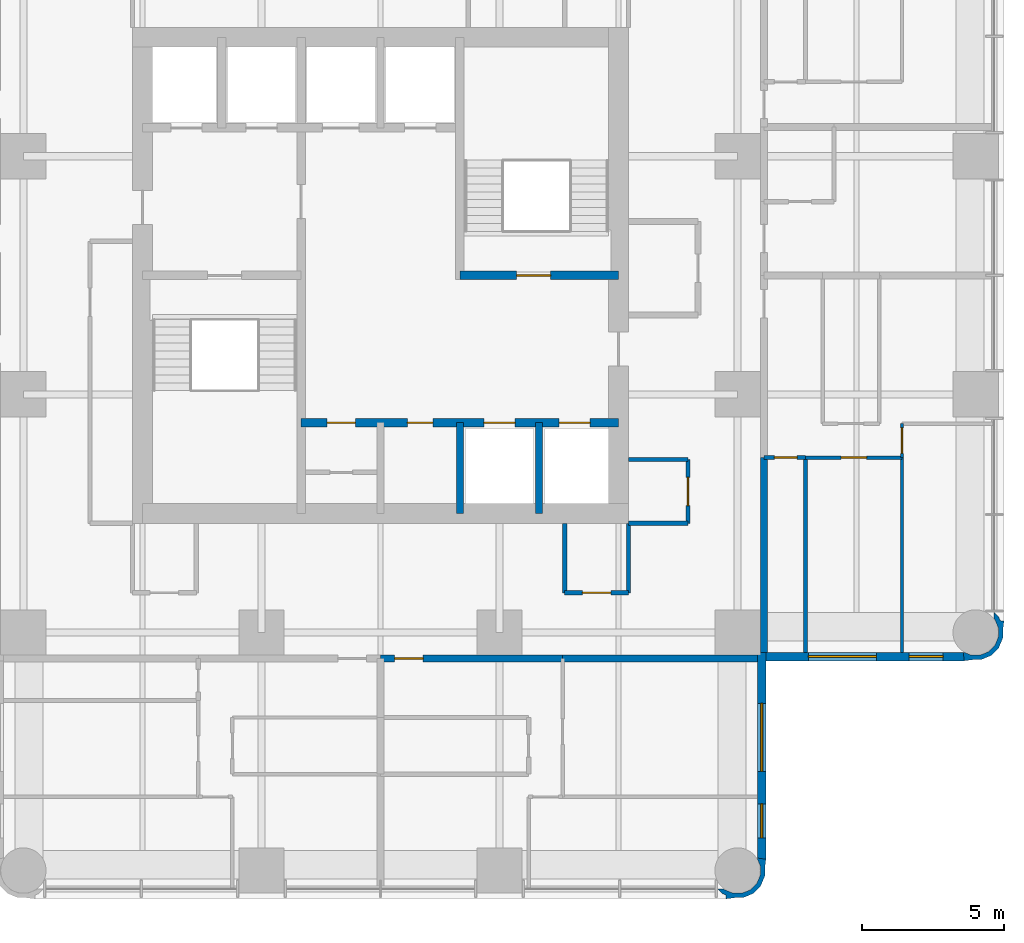
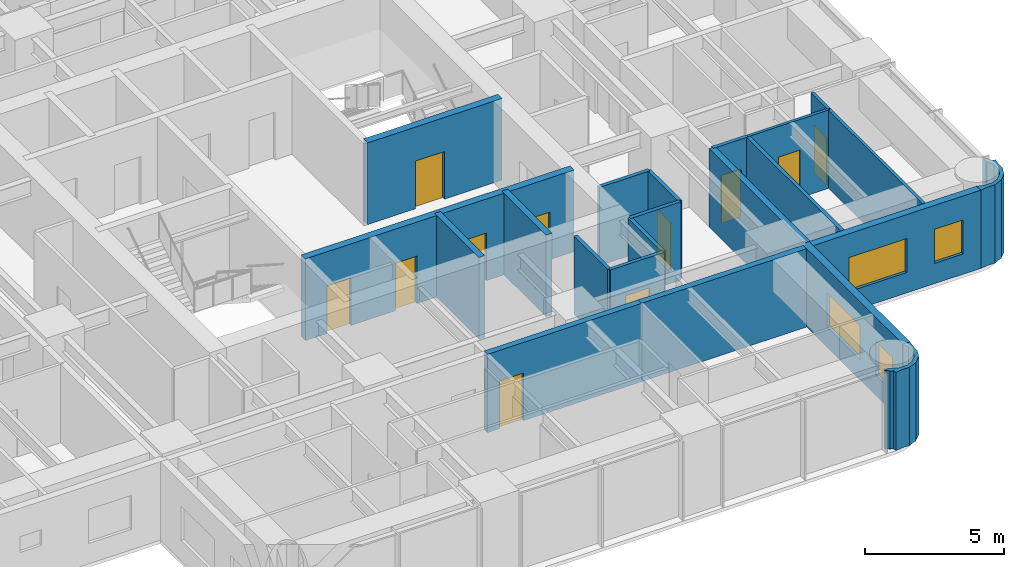
# One storey, part 7 of 11: 22 walls, 11 doors, 4 windows, 15 openings.
"""IFC4 building model written with IfcOpenShell, lengths in metres."""

from ifc_helpers import new_model, si_unit, direction, frame, frame_2d, origin, place, context, subcontext, project, spatial, polyline, rectangle, outline, extrude, material, layer, layer_set, type_object, element, fill, save


model = new_model("IFC4")

# Units and contexts
model_context = context("Model", 3, precision=1e-05, world=origin(), true_north=direction((0.0, 1.0)))
body_context = subcontext(model_context, "Body", "Model", "MODEL_VIEW")
ifc_project = project(units=[si_unit("LENGTHUNIT", "METRE"), si_unit("AREAUNIT", "SQUARE_METRE"), si_unit("VOLUMEUNIT", "CUBIC_METRE"), si_unit("PLANEANGLEUNIT", "RADIAN"), si_unit("MASSUNIT", "GRAM", prefix="KILO")], contexts=[model_context])

# Site, building, storey
site_placement = place(None, origin())
site = spatial("IfcSite", under=ifc_project, at=site_placement, CompositionType="ELEMENT")
building_placement = place(site_placement, origin())
building = spatial("IfcBuilding", under=site, at=building_placement, Name="Torre Alcanfor", CompositionType="ELEMENT")
storey_placement = place(building_placement, frame((0.0, 0.0, 240.89990234375)))
storey = spatial("IfcBuildingStorey", under=building, at=storey_placement, Name="L63", CompositionType="ELEMENT", Elevation=240.89990234375)

# Wall
ifc_material_1 = material(Name="Concrete block masonry, hollow blocks NMX-C-404 9 MPa", Category="masonry")
ifc_layer_1 = layer(ifc_material_1, 0.25)
ifc_layer_set_1 = layer_set([ifc_layer_1], Name="Apartment entrance wall 250 EI 60")
wall_type_1 = type_object("IfcWallType", Name="Apartment entrance wall 250 EI 60", PredefinedType="PARTITIONING", material=ifc_layer_set_1)
wall_1_placement = place(storey_placement, frame((42.925048828125, 22.970947265625, 0.0), z_axis=(0.0, 0.0, 1.0), x_axis=(0.0, -1.0, 0.0)))
element("IfcWall", 1, at=wall_1_placement, inside=storey, type_object=wall_type_1, Name="Partition L63-CORR / L63-E2-BATH", PredefinedType="PARTITIONING", context=body_context, shape_type="SweptSolid", body=[
    extrude(rectangle(XDim=6.870849609375, YDim=0.25, at=frame_2d((3.435546875, 0.0))), origin(), (0.0, 0.0, 1.0), 3.4501953125),
])

# Wall, opening, door
wall_2_placement = place(storey_placement, frame((35.8291015625, 15.875, 0.0), z_axis=(0.0, 0.0, 1.0), x_axis=(-1.0, 0.0, 0.0)))
wall_2 = element("IfcWall", 2, at=wall_2_placement, inside=storey, type_object=wall_type_1, Name="Partition L63-CORR / L63-S1-LIVING", PredefinedType="PARTITIONING", context=body_context, shape_type="SweptSolid", body=[
    extrude(rectangle(XDim=6.42919921875, YDim=0.25, at=frame_2d((3.214599609375, 0.0))), origin(), (0.0, 0.0, 1.0), 3.4501953125),
])
opening_1_placement = place(wall_2_placement, frame((4.928955078125, 0.0, 0.0)))
opening_1 = element("IfcOpeningElement", 3, at=opening_1_placement, cuts=wall_2, Name="Opening D-A1", PredefinedType="OPENING", context=body_context, shape_type="SweptSolid", body=[
    extrude(rectangle(XDim=1.0, YDim=2.10009765625, at=frame_2d((0.5, 1.050048828125))), frame((0.0, 0.135009765625, 0.0), z_axis=(0.0, -1.0, 0.0), x_axis=(1.0, 0.0, 0.0)), (0.0, 0.0, 1.0), 0.27001953125),
])
ifc_material_2 = material(Name="Galvanised steel sheet ASTM A653", Category="steel")
door_type_1 = type_object("IfcDoorType", Name="Apartment entrance door FD60 1000x2100", OperationType="SINGLE_SWING_LEFT", PredefinedType="DOOR", material=ifc_material_2)
door_1_placement = place(opening_1_placement, origin())
door_1 = element("IfcDoor", 4, at=door_1_placement, inside=storey, type_object=door_type_1, Name="Apartment entrance L63-S1", OperationType="SINGLE_SWING_RIGHT", OverallHeight=2.10009765625, OverallWidth=1.0, PredefinedType="DOOR", context=body_context, shape_type="SweptSolid", body=[
    extrude(rectangle(XDim=1.0, YDim=2.10009765625, at=frame_2d((0.5, 1.050048828125))), frame((0.0, 0.02490234375, 0.0), z_axis=(0.0, -1.0, 0.0), x_axis=(1.0, 0.0, 0.0)), (0.0, 0.0, 1.0), 0.050048828125),
])
fill(opening_1, door_1)

# Wall
wall_3_placement = place(storey_placement, frame((42.699951171875, 15.875, 0.0), z_axis=(0.0, 0.0, 1.0), x_axis=(-1.0, 0.0, 0.0)))
element("IfcWall", 5, at=wall_3_placement, inside=storey, type_object=wall_type_1, Name="Partition L63-CORR / L63-S1-BED2", PredefinedType="PARTITIONING", context=body_context, shape_type="SweptSolid", body=[
    extrude(rectangle(XDim=6.870849609375, YDim=0.25, at=frame_2d((3.435546875, 0.0))), origin(), (0.0, 0.0, 1.0), 3.4501953125),
])

# Wall, opening, door
ifc_material_3 = material(Name="Gypsum board on steel studs", Category="steel")
ifc_layer_2 = layer(ifc_material_3, 0.1201171875)
ifc_layer_set_2 = layer_set([ifc_layer_2], Name="Apartment partition 120")
wall_type_2 = type_object("IfcWallType", Name="Apartment partition 120", PredefinedType="PARTITIONING", material=ifc_layer_set_2)
wall_4_placement = place(storey_placement, frame((47.800048828125, 22.970947265625, 0.0), z_axis=(0.0, 0.0, 1.0), x_axis=(-1.0, 0.0, 0.0)))
wall_4 = element("IfcWall", 6, at=wall_4_placement, inside=storey, type_object=wall_type_2, Name="Partition L63-E2-LIVING / L63-E2-STUDY", PredefinedType="PARTITIONING", context=body_context, shape_type="SweptSolid", body=[
    extrude(rectangle(XDim=3.400146484375, YDim=0.1201171875, at=frame_2d((1.7001953125, 0.0))), origin(), (0.0, 0.0, 1.0), 3.4501953125),
])
opening_2_placement = place(wall_4_placement, frame((1.25, 0.0, 0.0)))
opening_2 = element("IfcOpeningElement", 7, at=opening_2_placement, cuts=wall_4, Name="Opening D-R1", PredefinedType="OPENING", context=body_context, shape_type="SweptSolid", body=[
    extrude(rectangle(XDim=0.89990234375, YDim=2.10009765625, at=frame_2d((0.449951171875, 1.050048828125))), frame((0.0, 0.070068359375, 0.0), z_axis=(0.0, -1.0, 0.0), x_axis=(1.0, 0.0, 0.0)), (0.0, 0.0, 1.0), 0.14013671875),
])
ifc_material_4 = material(Name="Timber", Category="wood")
door_type_2 = type_object("IfcDoorType", Name="Internal door 900x2100", OperationType="SINGLE_SWING_LEFT", PredefinedType="DOOR", material=ifc_material_4)
door_2_placement = place(opening_2_placement, origin())
door_2 = element("IfcDoor", 8, at=door_2_placement, inside=storey, type_object=door_type_2, Name="Door L63-E2 study", OperationType="SINGLE_SWING_LEFT", OverallHeight=2.10009765625, OverallWidth=0.89990234375, PredefinedType="DOOR", context=body_context, shape_type="SweptSolid", body=[
    extrude(rectangle(XDim=0.89990234375, YDim=2.10009765625, at=frame_2d((0.449951171875, 1.050048828125))), frame((0.0, 0.02490234375, 0.0), z_axis=(0.0, -1.0, 0.0), x_axis=(1.0, 0.0, 0.0)), (0.0, 0.0, 1.0), 0.050048828125),
])
fill(opening_2, door_2)

wall_5_placement = place(storey_placement, frame((47.800048828125, 24.1708984375, 0.0), z_axis=(0.0, 0.0, 1.0), x_axis=(0.0, -1.0, 0.0)))
wall_5 = element("IfcWall", 9, at=wall_5_placement, inside=storey, type_object=wall_type_2, Name="Partition L63-E2-LIVING / L63-E2-MASTER", PredefinedType="PARTITIONING", context=body_context, shape_type="SweptSolid", body=[
    extrude(rectangle(XDim=1.199951171875, YDim=0.1201171875, at=frame_2d((0.60009765625, 0.0))), origin(), (0.0, 0.0, 1.0), 3.4501953125),
])
opening_3_placement = place(wall_5_placement, frame((0.15087890625, 0.0, 0.0)))
opening_3 = element("IfcOpeningElement", 10, at=opening_3_placement, cuts=wall_5, Name="Opening D-R1", PredefinedType="OPENING", context=body_context, shape_type="SweptSolid", body=[
    extrude(rectangle(XDim=0.89990234375, YDim=2.10009765625, at=frame_2d((0.449951171875, 1.050048828125))), frame((0.0, 0.070068359375, 0.0), z_axis=(0.0, -1.0, 0.0), x_axis=(1.0, 0.0, 0.0)), (0.0, 0.0, 1.0), 0.14013671875),
])
door_3_placement = place(opening_3_placement, origin())
door_3 = element("IfcDoor", 11, at=door_3_placement, inside=storey, type_object=door_type_2, Name="Door L63-E2 master", OperationType="SINGLE_SWING_LEFT", OverallHeight=2.10009765625, OverallWidth=0.89990234375, PredefinedType="DOOR", context=body_context, shape_type="SweptSolid", body=[
    extrude(rectangle(XDim=0.89990234375, YDim=2.10009765625, at=frame_2d((0.449951171875, 1.050048828125))), frame((0.0, 0.02490234375, 0.0), z_axis=(0.0, -1.0, 0.0), x_axis=(1.0, 0.0, 0.0)), (0.0, 0.0, 1.0), 0.050048828125),
])
fill(opening_3, door_3)

# Wall
wall_6_placement = place(storey_placement, frame((47.800048828125, 22.970947265625, 0.0), z_axis=(0.0, 0.0, 1.0), x_axis=(0.0, -1.0, 0.0)))
element("IfcWall", 12, at=wall_6_placement, inside=storey, type_object=wall_type_2, Name="Partition L63-E2-STUDY / L63-E2-MASTER", PredefinedType="PARTITIONING", context=body_context, shape_type="SweptSolid", body=[
    extrude(rectangle(XDim=6.870849609375, YDim=0.1201171875, at=frame_2d((3.435546875, 0.0))), origin(), (0.0, 0.0, 1.0), 3.4501953125),
])

# Wall, openings, doors
ifc_material_5 = material(Name="Concrete f'c 70 MPa", Category="concrete")
ifc_layer_3 = layer(ifc_material_5, 0.300048828125)
ifc_layer_set_3 = layer_set([ifc_layer_3], Name="Core inner wall 300 f'c70")
wall_type_3 = type_object("IfcWallType", Name="Core inner wall 300 f'c70", PredefinedType="SHEAR", material=ifc_layer_set_3)
wall_7_placement = place(storey_placement, frame((26.60009765625, 24.199951171875, 0.0), z_axis=(0.0, 0.0, 1.0), x_axis=(1.0, 0.0, 0.0)))
wall_7 = element("IfcWall", 13, at=wall_7_placement, inside=storey, type_object=wall_type_3, Name="Core wall Y242 L63", PredefinedType="SHEAR", context=body_context, shape_type="SweptSolid", body=[
    extrude(rectangle(XDim=11.199951171875, YDim=0.300048828125, at=frame_2d((5.60009765625, 0.0))), origin(), (0.0, 0.0, 1.0), 3.60009765625),
])
opening_4_placement = place(wall_7_placement, frame((0.91259765625, 0.0, 0.0)))
opening_4 = element("IfcOpeningElement", 14, at=opening_4_placement, cuts=wall_7, Name="Opening D-K1", PredefinedType="OPENING", context=body_context, shape_type="SweptSolid", body=[
    extrude(rectangle(XDim=1.0, YDim=2.10009765625, at=frame_2d((0.5, 1.050048828125))), frame((0.0, 0.159912109375, 0.0), z_axis=(0.0, -1.0, 0.0), x_axis=(1.0, 0.0, 0.0)), (0.0, 0.0, 1.0), 0.320068359375),
])
opening_5_placement = place(wall_7_placement, frame((3.75, 0.0, 0.0)))
opening_5 = element("IfcOpeningElement", 15, at=opening_5_placement, cuts=wall_7, Name="Opening D-Q1", PredefinedType="OPENING", context=body_context, shape_type="SweptSolid", body=[
    extrude(rectangle(XDim=0.89990234375, YDim=2.10009765625, at=frame_2d((0.449951171875, 1.050048828125))), frame((0.0, 0.159912109375, 0.0), z_axis=(0.0, -1.0, 0.0), x_axis=(1.0, 0.0, 0.0)), (0.0, 0.0, 1.0), 0.320068359375),
])
opening_6_placement = place(wall_7_placement, frame((6.449951171875, 0.0, 0.0)))
opening_6 = element("IfcOpeningElement", 16, at=opening_6_placement, cuts=wall_7, Name="Opening LD1", PredefinedType="OPENING", context=body_context, shape_type="SweptSolid", body=[
    extrude(rectangle(XDim=1.10009765625, YDim=2.10009765625, at=frame_2d((0.550048828125, 1.050048828125))), frame((0.0, 0.159912109375, 0.0), z_axis=(0.0, -1.0, 0.0), x_axis=(1.0, 0.0, 0.0)), (0.0, 0.0, 1.0), 0.320068359375),
])
opening_7_placement = place(wall_7_placement, frame((9.10009765625, 0.0, 0.0)))
opening_7 = element("IfcOpeningElement", 17, at=opening_7_placement, cuts=wall_7, Name="Opening LD1", PredefinedType="OPENING", context=body_context, shape_type="SweptSolid", body=[
    extrude(rectangle(XDim=1.10009765625, YDim=2.10009765625, at=frame_2d((0.550048828125, 1.050048828125))), frame((0.0, 0.159912109375, 0.0), z_axis=(0.0, -1.0, 0.0), x_axis=(1.0, 0.0, 0.0)), (0.0, 0.0, 1.0), 0.320068359375),
])
ifc_material_6 = material(Name="Galvanised steel sheet ASTM A653", Category="steel")
door_type_3 = type_object("IfcDoorType", Name="Core room door FD60 1000x2100", OperationType="SINGLE_SWING_LEFT", PredefinedType="DOOR", material=ifc_material_6)
door_4_placement = place(opening_4_placement, frame((1.0, 0.0, 0.0), z_axis=(0.0, 0.0, 1.0), x_axis=(-1.0, 0.0, 0.0)))
door_4 = element("IfcDoor", 18, at=door_4_placement, inside=storey, type_object=door_type_3, Name="IT and comms room door L63", OperationType="SINGLE_SWING_RIGHT", OverallHeight=2.10009765625, OverallWidth=1.0, PredefinedType="DOOR", context=body_context, shape_type="SweptSolid", body=[
    extrude(rectangle(XDim=1.0, YDim=2.10009765625, at=frame_2d((0.5, 1.050048828125))), frame((0.0, 0.025146484375, 0.0), z_axis=(0.0, -1.0, 0.0), x_axis=(1.0, 0.0, 0.0)), (0.0, 0.0, 1.0), 0.050048828125),
])
fill(opening_4, door_4)
ifc_material_7 = material(Name="Galvanised steel sheet ASTM A653", Category="steel")
door_type_4 = type_object("IfcDoorType", Name="Lift landing door 1100x2100", OperationType="DOUBLE_DOOR_SLIDING", PredefinedType="DOOR", material=ifc_material_7)
door_5_placement = place(opening_6_placement, origin())
door_5 = element("IfcDoor", 19, at=door_5_placement, inside=storey, type_object=door_type_4, Name="Lift landing door PA3 L63", OperationType="DOUBLE_DOOR_SLIDING", OverallHeight=2.10009765625, OverallWidth=1.10009765625, PredefinedType="DOOR", context=body_context, shape_type="SweptSolid", body=[
    extrude(rectangle(XDim=1.10009765625, YDim=2.10009765625, at=frame_2d((0.550048828125, 1.050048828125))), frame((0.0, 0.02490234375, 0.0), z_axis=(0.0, -1.0, 0.0), x_axis=(1.0, 0.0, 0.0)), (0.0, 0.0, 1.0), 0.050048828125),
])
fill(opening_6, door_5)
door_6_placement = place(opening_7_placement, origin())
door_6 = element("IfcDoor", 20, at=door_6_placement, inside=storey, type_object=door_type_4, Name="Lift landing door PA4 L63", OperationType="DOUBLE_DOOR_SLIDING", OverallHeight=2.10009765625, OverallWidth=1.10009765625, PredefinedType="DOOR", context=body_context, shape_type="SweptSolid", body=[
    extrude(rectangle(XDim=1.10009765625, YDim=2.10009765625, at=frame_2d((0.550048828125, 1.050048828125))), frame((0.0, 0.02490234375, 0.0), z_axis=(0.0, -1.0, 0.0), x_axis=(1.0, 0.0, 0.0)), (0.0, 0.0, 1.0), 0.050048828125),
])
fill(opening_7, door_6)
ifc_material_8 = material(Name="Galvanised steel sheet ASTM A653", Category="steel")
door_type_5 = type_object("IfcDoorType", Name="Riser access door FD120 900x2100", OperationType="SINGLE_SWING_LEFT", PredefinedType="DOOR", material=ifc_material_8)
door_7_placement = place(opening_5_placement, frame((0.89990234375, 0.0, 0.0), z_axis=(0.0, 0.0, 1.0), x_axis=(-1.0, 0.0, 0.0)))
door_7 = element("IfcDoor", 21, at=door_7_placement, inside=storey, type_object=door_type_5, Name="Riser door L63", OperationType="SINGLE_SWING_RIGHT", OverallHeight=2.10009765625, OverallWidth=0.89990234375, PredefinedType="DOOR", context=body_context, shape_type="SweptSolid", body=[
    extrude(rectangle(XDim=0.89990234375, YDim=2.10009765625, at=frame_2d((0.449951171875, 1.050048828125))), frame((0.0, 0.025146484375, 0.0), z_axis=(0.0, -1.0, 0.0), x_axis=(1.0, 0.0, 0.0)), (0.0, 0.0, 1.0), 0.050048828125),
])
fill(opening_5, door_7)

# Wall, opening, door
wall_8_placement = place(storey_placement, frame((32.199951171875, 29.39990234375, 0.0), z_axis=(0.0, 0.0, 1.0), x_axis=(1.0, 0.0, 0.0)))
wall_8 = element("IfcWall", 22, at=wall_8_placement, inside=storey, type_object=wall_type_3, Name="Core wall Y294E L63", PredefinedType="SHEAR", context=body_context, shape_type="SweptSolid", body=[
    extrude(rectangle(XDim=5.60009765625, YDim=0.300048828125, at=frame_2d((2.800048828125, 0.0))), origin(), (0.0, 0.0, 1.0), 3.60009765625),
])
opening_8_placement = place(wall_8_placement, frame((2.0, 0.0, 0.0)))
opening_8 = element("IfcOpeningElement", 23, at=opening_8_placement, cuts=wall_8, Name="Opening D-S2", PredefinedType="OPENING", context=body_context, shape_type="SweptSolid", body=[
    extrude(rectangle(XDim=1.199951171875, YDim=2.10009765625, at=frame_2d((0.60009765625, 1.050048828125))), frame((0.0, 0.159912109375, 0.0), z_axis=(0.0, -1.0, 0.0), x_axis=(1.0, 0.0, 0.0)), (0.0, 0.0, 1.0), 0.320068359375),
])
ifc_material_9 = material(Name="Galvanised steel sheet ASTM A653", Category="steel")
door_type_6 = type_object("IfcDoorType", Name="Stair enclosure door FD120 1200x2100", OperationType="SINGLE_SWING_LEFT", PredefinedType="DOOR", material=ifc_material_9)
door_8_placement = place(opening_8_placement, origin())
door_8 = element("IfcDoor", 24, at=door_8_placement, inside=storey, type_object=door_type_6, Name="Stair S2 door L63", OperationType="SINGLE_SWING_LEFT", OverallHeight=2.10009765625, OverallWidth=1.199951171875, PredefinedType="DOOR", context=body_context, shape_type="SweptSolid", body=[
    extrude(rectangle(XDim=1.199951171875, YDim=2.10009765625, at=frame_2d((0.60009765625, 1.050048828125))), frame((0.0, 0.02490234375, 0.0), z_axis=(0.0, -1.0, 0.0), x_axis=(1.0, 0.0, 0.0)), (0.0, 0.0, 1.0), 0.050048828125),
])
fill(opening_8, door_8)

# Walls
ifc_material_10 = material(Name="Concrete f'c 70 MPa", Category="concrete")
ifc_layer_4 = layer(ifc_material_10, 0.25)
ifc_layer_set_4 = layer_set([ifc_layer_4], Name="Core shaft wall 250 f'c70")
wall_type_4 = type_object("IfcWallType", Name="Core shaft wall 250 f'c70", PredefinedType="SHEAR", material=ifc_layer_set_4)
for number, where, z_axis, x_axis, name in (
    (25, (32.199951171875, 21.0, 0.0), (0.0, 0.0, 1.0), (0.0, 1.0, 0.0), "Core wall X322S L63"),
    (26, (35.0, 21.0, 0.0), (0.0, 0.0, 1.0), (0.0, 1.0, 0.0), "Core wall X350S L63"),
):
    element("IfcWall", number, at=place(storey_placement, frame(where, z_axis=z_axis, x_axis=x_axis)), inside=storey, type_object=wall_type_4, Name=name, PredefinedType="SHEAR", context=body_context, shape_type="SweptSolid", body=[
        extrude(rectangle(XDim=3.199951171875, YDim=0.25, at=frame_2d((1.60009765625, 0.0))), origin(), (0.0, 0.0, 1.0), 3.60009765625),
    ])

# Wall, openings, windows
ifc_material_11 = material(Name="Limestone cladding", Category="masonry")
ifc_layer_5 = layer(ifc_material_11, 0.0400390625, Name="Facing")
ifc_material_12 = material(Name="Ventilated air cavity")
ifc_layer_6 = layer(ifc_material_12, 0.02001953125, ventilated=True, Name="Ventilated joint")
ifc_material_13 = material(Name="Mineral wool insulation", Category="insulation")
ifc_layer_7 = layer(ifc_material_13, 0.10009765625, Name="Insulation")
ifc_material_14 = material(Name="Concrete f'c 35 MPa", Category="concrete")
ifc_layer_8 = layer(ifc_material_14, 0.139892578125, Name="Backing")
ifc_layer_set_5 = layer_set([ifc_layer_5, ifc_layer_6, ifc_layer_7, ifc_layer_8], Name="External wall stone-clad 300")
wall_type_5 = type_object("IfcWallType", Name="External wall stone-clad 300", PredefinedType="SOLIDWALL", material=ifc_layer_set_5)
wall_9_placement = place(storey_placement, frame((42.85009765625, 8.800048828125, 0.0), z_axis=(0.0, 0.0, 1.0), x_axis=(0.0, 1.0, 0.0)))
wall_9 = element("IfcWall", 27, at=wall_9_placement, inside=storey, type_object=wall_type_5, Name="External wall L63 6", PredefinedType="SOLIDWALL", context=body_context, shape_type="SweptSolid", body=[
    extrude(rectangle(XDim=7.300048828125, YDim=0.300048828125, at=frame_2d((3.64990234375, 0.0))), origin(), (0.0, 0.0, 1.0), 3.4501953125),
])
opening_9_placement = place(wall_9_placement, frame((3.10009765625, 0.0, 0.89990234375)))
opening_9 = element("IfcOpeningElement", 28, at=opening_9_placement, cuts=wall_9, Name="Opening W1", PredefinedType="OPENING", context=body_context, shape_type="SweptSolid", body=[
    extrude(rectangle(XDim=2.39990234375, YDim=1.5, at=frame_2d((1.199951171875, 0.75))), frame((0.0, 0.159912109375, 0.0), z_axis=(0.0, -1.0, 0.0), x_axis=(1.0, 0.0, 0.0)), (0.0, 0.0, 1.0), 0.320068359375),
])
opening_10_placement = place(wall_9_placement, frame((0.75, 0.0, 0.89990234375)))
opening_10 = element("IfcOpeningElement", 29, at=opening_10_placement, cuts=wall_9, Name="Opening W4", PredefinedType="OPENING", context=body_context, shape_type="SweptSolid", body=[
    extrude(rectangle(XDim=1.199951171875, YDim=1.5, at=frame_2d((0.60009765625, 0.75))), frame((0.0, 0.159912109375, 0.0), z_axis=(0.0, -1.0, 0.0), x_axis=(1.0, 0.0, 0.0)), (0.0, 0.0, 1.0), 0.320068359375),
])
ifc_material_15 = material(Name="Aluminium frame with clear double glazing", Category="aluminium")
window_type_1 = type_object("IfcWindowType", Name="Window bedroom 1200x1500", PartitioningType="SINGLE_PANEL", PredefinedType="WINDOW", material=ifc_material_15)
window_1_placement = place(opening_10_placement, origin())
window_1 = element("IfcWindow", 30, at=window_1_placement, inside=storey, type_object=window_type_1, Name="Window W4 L63-S1", OverallHeight=1.5, OverallWidth=1.199951171875, PartitioningType="SINGLE_PANEL", PredefinedType="WINDOW", context=body_context, shape_type="SweptSolid", body=[
    extrude(rectangle(XDim=1.199951171875, YDim=1.5, at=frame_2d((0.60009765625, 0.75))), frame((0.0, 0.030029296875, 0.0), z_axis=(0.0, -1.0, 0.0), x_axis=(1.0, 0.0, 0.0)), (0.0, 0.0, 1.0), 0.06005859375),
])
fill(opening_10, window_1)
ifc_material_16 = material(Name="Aluminium frame with clear double glazing", Category="aluminium")
window_type_2 = type_object("IfcWindowType", Name="Window bedroom 2400x1500", PartitioningType="SINGLE_PANEL", PredefinedType="WINDOW", material=ifc_material_16)
window_2_placement = place(opening_9_placement, origin())
window_2 = element("IfcWindow", 31, at=window_2_placement, inside=storey, type_object=window_type_2, Name="Window W1 L63-S1", OverallHeight=1.5, OverallWidth=2.39990234375, PartitioningType="SINGLE_PANEL", PredefinedType="WINDOW", context=body_context, shape_type="SweptSolid", body=[
    extrude(rectangle(XDim=2.39990234375, YDim=1.5, at=frame_2d((1.199951171875, 0.75))), frame((0.0, 0.030029296875, 0.0), z_axis=(0.0, -1.0, 0.0), x_axis=(1.0, 0.0, 0.0)), (0.0, 0.0, 1.0), 0.06005859375),
])
fill(opening_9, window_2)

wall_10_placement = place(storey_placement, frame((43.0, 15.949951171875, 0.0), z_axis=(0.0, 0.0, 1.0), x_axis=(1.0, 0.0, 0.0)))
wall_10 = element("IfcWall", 32, at=wall_10_placement, inside=storey, type_object=wall_type_5, Name="External wall L63 7", PredefinedType="SOLIDWALL", context=body_context, shape_type="SweptSolid", body=[
    extrude(rectangle(XDim=7.0, YDim=0.300048828125, at=frame_2d((3.5, 0.0))), origin(), (0.0, 0.0, 1.0), 3.4501953125),
])
opening_11_placement = place(wall_10_placement, frame((1.5, 0.0, 0.89990234375)))
opening_11 = element("IfcOpeningElement", 33, at=opening_11_placement, cuts=wall_10, Name="Opening W1", PredefinedType="OPENING", context=body_context, shape_type="SweptSolid", body=[
    extrude(rectangle(XDim=2.39990234375, YDim=1.5, at=frame_2d((1.199951171875, 0.75))), frame((0.0, 0.159912109375, 0.0), z_axis=(0.0, -1.0, 0.0), x_axis=(1.0, 0.0, 0.0)), (0.0, 0.0, 1.0), 0.320068359375),
])
opening_12_placement = place(wall_10_placement, frame((5.050048828125, 0.0, 0.89990234375)))
opening_12 = element("IfcOpeningElement", 34, at=opening_12_placement, cuts=wall_10, Name="Opening W4", PredefinedType="OPENING", context=body_context, shape_type="SweptSolid", body=[
    extrude(rectangle(XDim=1.199951171875, YDim=1.5, at=frame_2d((0.60009765625, 0.75))), frame((0.0, 0.159912109375, 0.0), z_axis=(0.0, -1.0, 0.0), x_axis=(1.0, 0.0, 0.0)), (0.0, 0.0, 1.0), 0.320068359375),
])
window_3_placement = place(opening_12_placement, origin())
window_3 = element("IfcWindow", 35, at=window_3_placement, inside=storey, type_object=window_type_1, Name="Window W4 L63-E2", OverallHeight=1.5, OverallWidth=1.199951171875, PartitioningType="SINGLE_PANEL", PredefinedType="WINDOW", context=body_context, shape_type="SweptSolid", body=[
    extrude(rectangle(XDim=1.199951171875, YDim=1.5, at=frame_2d((0.60009765625, 0.75))), frame((0.0, 0.030029296875, 0.0), z_axis=(0.0, -1.0, 0.0), x_axis=(1.0, 0.0, 0.0)), (0.0, 0.0, 1.0), 0.06005859375),
])
fill(opening_12, window_3)
window_4_placement = place(opening_11_placement, origin())
window_4 = element("IfcWindow", 36, at=window_4_placement, inside=storey, type_object=window_type_2, Name="Window W1 L63-E2", OverallHeight=1.5, OverallWidth=2.39990234375, PartitioningType="SINGLE_PANEL", PredefinedType="WINDOW", context=body_context, shape_type="SweptSolid", body=[
    extrude(rectangle(XDim=2.39990234375, YDim=1.5, at=frame_2d((1.199951171875, 0.75))), frame((0.0, 0.030029296875, 0.0), z_axis=(0.0, -1.0, 0.0), x_axis=(1.0, 0.0, 0.0)), (0.0, 0.0, 1.0), 0.06005859375),
])
fill(opening_11, window_4)

# Wall
ifc_material_17 = material(Name="Concrete block masonry, hollow blocks NMX-C-404 9 MPa", Category="masonry")
ifc_layer_9 = layer(ifc_material_17, 0.14990234375)
ifc_layer_set_6 = layer_set([ifc_layer_9], Name="Residents' room partition 150")
wall_type_6 = type_object("IfcWallType", Name="Residents' room partition 150", PredefinedType="PARTITIONING", material=ifc_layer_set_6)
wall_11_placement = place(storey_placement, frame((38.14990234375, 20.64990234375, 0.0), z_axis=(0.0, 0.0, 1.0), x_axis=(1.0, 0.0, 0.0)))
element("IfcWall", 37, at=wall_11_placement, inside=storey, type_object=wall_type_6, Name="Partition L63-CORR / L63-G03", PredefinedType="PARTITIONING", context=body_context, shape_type="SweptSolid", body=[
    extrude(rectangle(XDim=2.10009765625, YDim=0.14990234375, at=frame_2d((1.050048828125, 0.0))), origin(), (0.0, 0.0, 1.0), 3.4501953125),
])

# Wall, opening, door
wall_12_placement = place(storey_placement, frame((40.25, 20.64990234375, 0.0), z_axis=(0.0, 0.0, 1.0), x_axis=(0.0, 1.0, 0.0)))
wall_12 = element("IfcWall", 38, at=wall_12_placement, inside=storey, type_object=wall_type_6, Name="Partition L63-CORR / L63-G03", PredefinedType="PARTITIONING", context=body_context, shape_type="SweptSolid", body=[
    extrude(rectangle(XDim=2.25, YDim=0.14990234375, at=frame_2d((1.125, 0.0))), origin(), (0.0, 0.0, 1.0), 3.4501953125),
])
opening_13_placement = place(wall_12_placement, frame((0.625, 0.0, 0.0)))
opening_13 = element("IfcOpeningElement", 39, at=opening_13_placement, cuts=wall_12, Name="Opening D-M1", PredefinedType="OPENING", context=body_context, shape_type="SweptSolid", body=[
    extrude(rectangle(XDim=1.0, YDim=2.10009765625, at=frame_2d((0.5, 1.050048828125))), frame((0.0, 0.0849609375, 0.0), z_axis=(0.0, -1.0, 0.0), x_axis=(1.0, 0.0, 0.0)), (0.0, 0.0, 1.0), 0.169921875),
])
ifc_material_18 = material(Name="Timber", Category="wood")
door_type_7 = type_object("IfcDoorType", Name="Residents' room door 1000x2100", OperationType="SINGLE_SWING_LEFT", PredefinedType="DOOR", material=ifc_material_18)
door_9_placement = place(opening_13_placement, origin())
door_9 = element("IfcDoor", 40, at=door_9_placement, inside=storey, type_object=door_type_7, Name="Door L63-G03 parcel room", OperationType="SINGLE_SWING_LEFT", OverallHeight=2.10009765625, OverallWidth=1.0, PredefinedType="DOOR", context=body_context, shape_type="SweptSolid", body=[
    extrude(rectangle(XDim=1.0, YDim=2.10009765625, at=frame_2d((0.5, 1.050048828125))), frame((0.0, 0.02490234375, 0.0), z_axis=(0.0, -1.0, 0.0), x_axis=(1.0, 0.0, 0.0)), (0.0, 0.0, 1.0), 0.050048828125),
])
fill(opening_13, door_9)

# Walls
wall_13_placement = place(storey_placement, frame((40.25, 22.89990234375, 0.0), z_axis=(0.0, 0.0, 1.0), x_axis=(-1.0, 0.0, 0.0)))
element("IfcWall", 41, at=wall_13_placement, inside=storey, type_object=wall_type_6, Name="Partition L63-CORR / L63-G03", PredefinedType="PARTITIONING", context=body_context, shape_type="SweptSolid", body=[
    extrude(rectangle(XDim=2.10009765625, YDim=0.14990234375, at=frame_2d((1.050048828125, 0.0))), origin(), (0.0, 0.0, 1.0), 3.4501953125),
])
wall_14_placement = place(storey_placement, frame((35.89990234375, 20.64990234375, 0.0), z_axis=(0.0, 0.0, 1.0), x_axis=(0.0, -1.0, 0.0)))
element("IfcWall", 42, at=wall_14_placement, inside=storey, type_object=wall_type_6, Name="Partition L63-CORR / L63-G06", PredefinedType="PARTITIONING", context=body_context, shape_type="SweptSolid", body=[
    extrude(rectangle(XDim=2.449951171875, YDim=0.14990234375, at=frame_2d((1.22509765625, 0.0))), origin(), (0.0, 0.0, 1.0), 3.4501953125),
])

# Wall, opening, door
wall_15_placement = place(storey_placement, frame((35.89990234375, 18.199951171875, 0.0), z_axis=(0.0, 0.0, 1.0), x_axis=(1.0, 0.0, 0.0)))
wall_15 = element("IfcWall", 43, at=wall_15_placement, inside=storey, type_object=wall_type_6, Name="Partition L63-CORR / L63-G06", PredefinedType="PARTITIONING", context=body_context, shape_type="SweptSolid", body=[
    extrude(rectangle(XDim=2.25, YDim=0.14990234375, at=frame_2d((1.125, 0.0))), origin(), (0.0, 0.0, 1.0), 3.4501953125),
])
opening_14_placement = place(wall_15_placement, frame((0.625, 0.0, 0.0)))
opening_14 = element("IfcOpeningElement", 44, at=opening_14_placement, cuts=wall_15, Name="Opening D-M1", PredefinedType="OPENING", context=body_context, shape_type="SweptSolid", body=[
    extrude(rectangle(XDim=1.0, YDim=2.10009765625, at=frame_2d((0.5, 1.050048828125))), frame((0.0, 0.0849609375, 0.0), z_axis=(0.0, -1.0, 0.0), x_axis=(1.0, 0.0, 0.0)), (0.0, 0.0, 1.0), 0.169921875),
])
door_10_placement = place(opening_14_placement, origin())
door_10 = element("IfcDoor", 45, at=door_10_placement, inside=storey, type_object=door_type_7, Name="Door L63-G06 linen store", OperationType="SINGLE_SWING_LEFT", OverallHeight=2.10009765625, OverallWidth=1.0, PredefinedType="DOOR", context=body_context, shape_type="SweptSolid", body=[
    extrude(rectangle(XDim=1.0, YDim=2.10009765625, at=frame_2d((0.5, 1.050048828125))), frame((0.0, 0.02490234375, 0.0), z_axis=(0.0, -1.0, 0.0), x_axis=(1.0, 0.0, 0.0)), (0.0, 0.0, 1.0), 0.050048828125),
])
fill(opening_14, door_10)

# Walls
wall_16_placement = place(storey_placement, frame((38.14990234375, 18.199951171875, 0.0), z_axis=(0.0, 0.0, 1.0), x_axis=(0.0, 1.0, 0.0)))
element("IfcWall", 46, at=wall_16_placement, inside=storey, type_object=wall_type_6, Name="Partition L63-CORR / L63-G06", PredefinedType="PARTITIONING", context=body_context, shape_type="SweptSolid", body=[
    extrude(rectangle(XDim=2.449951171875, YDim=0.14990234375, at=frame_2d((1.22509765625, 0.0))), origin(), (0.0, 0.0, 1.0), 3.4501953125),
])
ifc_layer_10 = layer(ifc_material_11, 0.0400390625, Name="Facing")
ifc_layer_11 = layer(ifc_material_12, 0.02001953125, ventilated=True, Name="Ventilated joint")
ifc_layer_12 = layer(ifc_material_13, 0.10009765625, Name="Insulation")
ifc_layer_13 = layer(ifc_material_14, 0.139892578125, Name="Backing")
ifc_layer_set_7 = layer_set([ifc_layer_10, ifc_layer_11, ifc_layer_12, ifc_layer_13], Name="Rounded corner pier stone-clad 300")
wall_type_7 = type_object("IfcWallType", Name="Rounded corner pier stone-clad 300", PredefinedType="SOLIDWALL", material=ifc_layer_set_7)
wall_17_placement = place(storey_placement, frame((41.351928198, 7.804682488, 0.0), z_axis=(0.0, 0.0, 1.0), x_axis=(0.343276641956, -0.93923434088, 0.0)))
element("IfcWall", 47, at=wall_17_placement, inside=storey, type_object=wall_type_7, Name="Corner pier L63 16", PredefinedType="SOLIDWALL", context=body_context, shape_type="SweptSolid", body=[
    extrude(outline(polyline([(-0.3691376945080963, 1.8896116474277462), (-0.5092849006082865, 1.6213723434863179), (-0.4904818693699753, 1.614500106025285), (-0.47937395557818696, 1.6086207727425919), (-0.21134604487110653, 1.620093396259431), (0.08789731812884549, 1.5107242513003132), (0.3226193813038204, 1.29522875171589), (0.4568297522668325, 1.0059961170728082), (0.47018090116819644, 0.6876338955306306), (0.3608955639829935, 0.3886198377896824), (0.14540006439857034, 0.15389777461470747), (0.10805580570731482, 0.136354268630141), (0.030952653705484567, -0.07460656965335008), (0.24105149879401783, 0.023022242841209073), (0.33345144333490195, 0.12363819812835387), (0.46537419024986754, 0.09413770889727405), (0.5320249985235461, 0.39313792602006), (0.6305829406476248, 0.6628009106085226), (0.6143313238115743, 1.0443478664441104), (0.4534111053034037, 1.390650880852334), (0.17226586261802523, 1.6491069643028293), (-0.09739712197043726, 1.7476649064269079), (-0.3691376945080963, 1.8896116474277462)])), origin(), (0.0, 0.0, 1.0), 3.4501953125),
])
wall_18_placement = place(storey_placement, frame((50.073176205, 15.982940512, 0.0), z_axis=(0.0, 0.0, 1.0), x_axis=(0.93923434088, -0.343276641956, 0.0)))
element("IfcWall", 48, at=wall_18_placement, inside=storey, type_object=wall_type_7, Name="Corner pier L63 17", PredefinedType="SOLIDWALL", context=body_context, shape_type="SweptSolid", body=[
    extrude(outline(polyline([(0.82833541791, 1.598492298676388), (0.6966419762540381, 1.569075617219223), (0.604242031713154, 1.6696915725063681), (0.3941431866246209, 1.7673203850009274), (0.47133014640036613, 1.5561302414584324), (0.5085905973177065, 1.5388160407328697), (0.7240860969021297, 1.3040939775578946), (0.8334552418612476, 1.0048506145579426), (0.8201040929598838, 0.6864883930157649), (0.6858099142229566, 0.3974850636316871), (0.4510878510479817, 0.1819895640472639), (0.15184448804802966, 0.072620419088146), (-0.11618342265905075, 0.08409304260498518), (-0.12752064170984284, 0.07812990154837691), (-0.14609436768915024, 0.07134147186125925), (-0.005947161588960068, -0.19689783208016906), (0.26556410568969513, -0.055034898853245834), (0.5354563955371614, 0.043606851044747874), (0.8166854459964551, 0.3018336292362396), (0.9776056645046255, 0.6481366436444629), (0.993857281340676, 1.0296835994800508), (0.8952155314426823, 1.299575889327517), (0.82833541791, 1.598492298676388)])), origin(), (0.0, 0.0, 1.0), 3.4501953125),
])

# Wall, opening, door
ifc_material_19 = material(Name="Cement board on steel studs", Category="steel")
ifc_layer_14 = layer(ifc_material_19, 0.14990234375)
ifc_layer_set_8 = layer_set([ifc_layer_14], Name="Wet area partition 150")
wall_type_8 = type_object("IfcWallType", Name="Wet area partition 150", PredefinedType="PARTITIONING", material=ifc_layer_set_8)
wall_19_placement = place(storey_placement, frame((44.39990234375, 22.970947265625, 0.0), z_axis=(0.0, 0.0, 1.0), x_axis=(-1.0, 0.0, 0.0)))
wall_19 = element("IfcWall", 49, at=wall_19_placement, inside=storey, type_object=wall_type_8, Name="Partition L63-E2-LIVING / L63-E2-BATH", PredefinedType="PARTITIONING", context=body_context, shape_type="SweptSolid", body=[
    extrude(rectangle(XDim=1.474853515625, YDim=0.14990234375, at=frame_2d((0.7373046875, 0.0))), origin(), (0.0, 0.0, 1.0), 3.4501953125),
])
opening_15_placement = place(wall_19_placement, frame((0.300048828125, 0.0, 0.0)))
opening_15 = element("IfcOpeningElement", 50, at=opening_15_placement, cuts=wall_19, Name="Opening D-R2", PredefinedType="OPENING", context=body_context, shape_type="SweptSolid", body=[
    extrude(rectangle(XDim=0.800048828125, YDim=2.10009765625, at=frame_2d((0.39990234375, 1.050048828125))), frame((0.0, 0.0849609375, 0.0), z_axis=(0.0, -1.0, 0.0), x_axis=(1.0, 0.0, 0.0)), (0.0, 0.0, 1.0), 0.169921875),
])
ifc_material_20 = material(Name="Timber", Category="wood")
door_type_8 = type_object("IfcDoorType", Name="Bathroom door 800x2100", OperationType="SINGLE_SWING_LEFT", PredefinedType="DOOR", material=ifc_material_20)
door_11_placement = place(opening_15_placement, origin())
door_11 = element("IfcDoor", 51, at=door_11_placement, inside=storey, type_object=door_type_8, Name="Door L63-E2 bath", OperationType="SINGLE_SWING_LEFT", OverallHeight=2.10009765625, OverallWidth=0.800048828125, PredefinedType="DOOR", context=body_context, shape_type="SweptSolid", body=[
    extrude(rectangle(XDim=0.800048828125, YDim=2.10009765625, at=frame_2d((0.39990234375, 1.050048828125))), frame((0.0, 0.02490234375, 0.0), z_axis=(0.0, -1.0, 0.0), x_axis=(1.0, 0.0, 0.0)), (0.0, 0.0, 1.0), 0.050048828125),
])
fill(opening_15, door_11)

# Wall
wall_20_placement = place(storey_placement, frame((44.39990234375, 22.970947265625, 0.0), z_axis=(0.0, 0.0, 1.0), x_axis=(0.0, -1.0, 0.0)))
element("IfcWall", 52, at=wall_20_placement, inside=storey, type_object=wall_type_8, Name="Partition L63-E2-BATH / L63-E2-STUDY", PredefinedType="PARTITIONING", context=body_context, shape_type="SweptSolid", body=[
    extrude(rectangle(XDim=6.870849609375, YDim=0.14990234375, at=frame_2d((3.435546875, 0.0))), origin(), (0.0, 0.0, 1.0), 3.4501953125),
])

save(model, "model.ifc")
